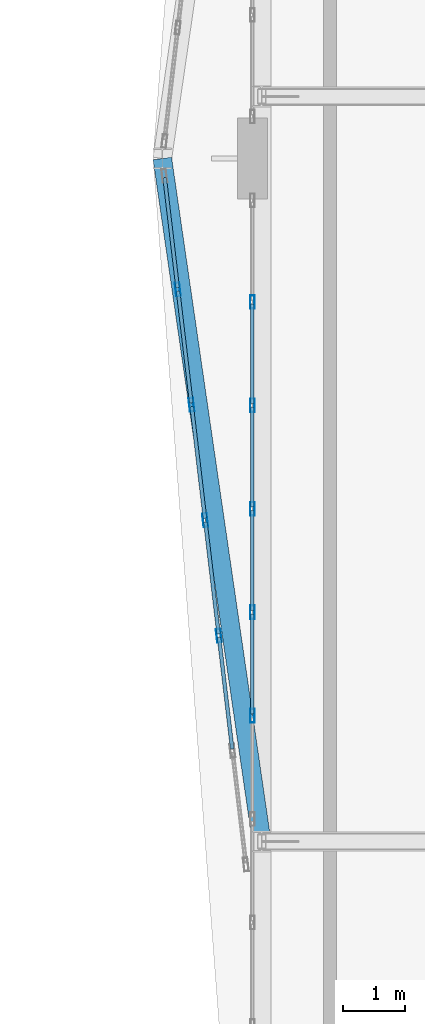
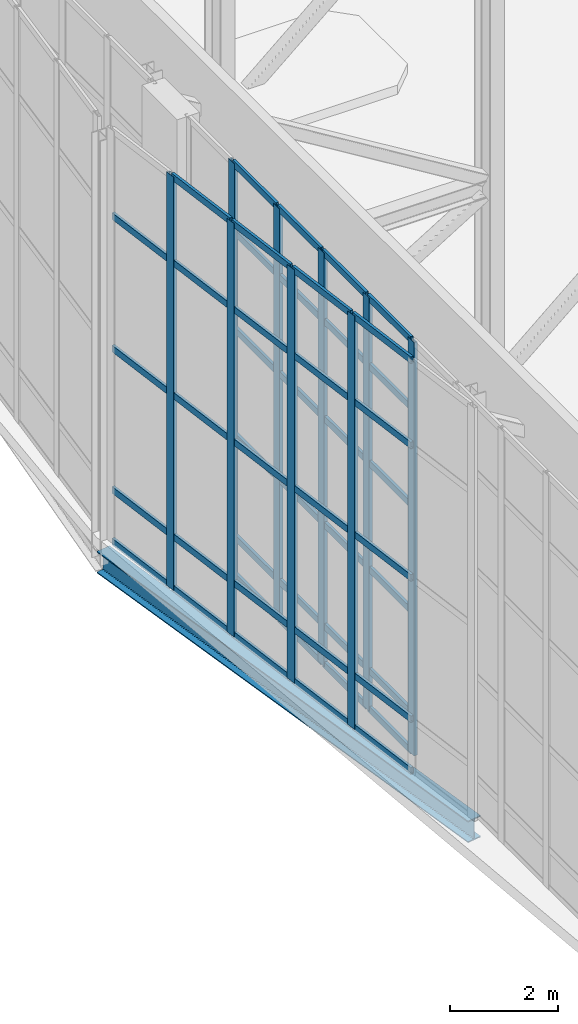
# One storey, part 21 of 100: 57 members, 1 beam, 2 elements without a shape of their own.
"""IFC4 building model written with IfcOpenShell, lengths in metres."""

from ifc_helpers import new_model, si_unit, direction, frame, origin, origin_2d, place, context, subcontext, project, spatial, hollow_rectangle, i_section, extrude, material, layer, layer_set, material_profile, profile_set, type_object, element, aggregate, save


model = new_model("IFC4")

# Units and contexts
model_context = context("Model", 3, precision=1e-05, world=origin(), true_north=direction((0.0, 1.0)))
body_context = subcontext(model_context, "Body", "Model", "MODEL_VIEW")
ifc_project = project(units=[si_unit("LENGTHUNIT", "METRE"), si_unit("AREAUNIT", "SQUARE_METRE"), si_unit("VOLUMEUNIT", "CUBIC_METRE"), si_unit("PLANEANGLEUNIT", "RADIAN"), si_unit("MASSUNIT", "GRAM", prefix="KILO")], contexts=[model_context])

# Site, building, storey
site_placement = place(None, origin())
site = spatial("IfcSite", under=ifc_project, at=site_placement, CompositionType="ELEMENT")
building_placement = place(site_placement, origin())
building = spatial("IfcBuilding", under=site, at=building_placement, Name="Tasgan Crest Museum", CompositionType="ELEMENT")
storey_placement = place(building_placement, frame((0.0, 0.0, 14.39990234375)))
storey = spatial("IfcBuildingStorey", under=building, at=storey_placement, Name="L03", CompositionType="ELEMENT", Elevation=14.39990234375)

# Beam
ifc_material_1 = material(Name="Steel S355J2", Category="steel")
ifc_material_profile_1 = material_profile(ifc_material_1, i_section(OverallWidth=0.300048828125, OverallDepth=0.489990234375, WebThickness=0.011962890625, FlangeThickness=0.02294921875, FilletRadius=0.027099609375, at=origin_2d()), Name="HEA 500")
ifc_profile_set_1 = profile_set([ifc_material_profile_1], Name="Steel S355J2")
beam_type = type_object("IfcBeamType", Name="BM-G-HEA500", PredefinedType="BEAM", material=ifc_profile_set_1)
beam_placement = place(storey_placement, frame((3.550048828125, 50.0, -0.559814453125), z_axis=(-0.143948449067, 0.98958518785, 0.0), x_axis=(-0.98958518785, -0.143948449067, 0.0)))
element("IfcBeam", 1, at=beam_placement, inside=storey, type_object=beam_type, Name="Cantilever prow south girder L03", PredefinedType="BEAM", context=body_context, shape_type="SweptSolid", body=[
    extrude(i_section(OverallWidth=0.300048828125, OverallDepth=0.489990234375, WebThickness=0.011962890625, FlangeThickness=0.02294921875, FilletRadius=0.027099609375, at=origin_2d()), origin(), (0.0, 0.0, 1.0), 11.11572265625),
])

# Curtain wall, members
ifc_material_2 = material(Name="Triple-Glazed Aluminium Curtain Wall", Category="aluminium")
ifc_layer = layer(ifc_material_2, 0.179931640625, Name="CW-CANT-TIP-96")
ifc_layer_set = layer_set([ifc_layer], Name="Triple-Glazed Aluminium Curtain Wall")
curtain_wall_type = type_object("IfcCurtainWallType", Name="CW-CANT-TIP-96", PredefinedType="NOTDEFINED", material=ifc_layer_set)
curtain_wall_1_placement = place(storey_placement, origin())
curtain_wall_1 = element("IfcCurtainWall", 2, at=curtain_wall_1_placement, inside=storey, type_object=curtain_wall_type, Name="Curtain wall L03 139", PredefinedType="NOTDEFINED")
ifc_material_3 = material(Name="Anodised Aluminium", Category="aluminium")
ifc_material_profile_2 = material_profile(ifc_material_3, hollow_rectangle(XDim=0.074951171875, YDim=0.219970703125, WallThickness=0.006103515625, at=origin_2d()), Name="ALU MULLION 220x75x6")
ifc_profile_set_2 = profile_set([ifc_material_profile_2], Name="Anodised Aluminium")
member_type_1 = type_object("IfcMemberType", Name="CW-MULLION-220", PredefinedType="MULLION", material=ifc_profile_set_2)
member_1_placement = place(storey_placement, frame((3.39990234375, 58.689208984375, 0.0), z_axis=(0.0, 0.0, 1.0), x_axis=(1.0, 0.0, 0.0)))
member_1 = element("IfcMember", 3, at=member_1_placement, type_object=member_type_1, Name="CW10 mullion 2", PredefinedType="MULLION", context=body_context, shape_type="SweptSolid", body=[
    extrude(hollow_rectangle(XDim=0.074951171875, YDim=0.219970703125, WallThickness=0.006103515625, at=origin_2d()), origin(), (0.0, 0.0, 1.0), 9.360107421875),
])
member_2_placement = place(storey_placement, frame((3.39990234375, 57.0234375, 0.0), z_axis=(0.0, 0.0, 1.0), x_axis=(1.0, 0.0, 0.0)))
member_2 = element("IfcMember", 4, at=member_2_placement, type_object=member_type_1, Name="CW10 mullion 3", PredefinedType="MULLION", context=body_context, shape_type="SweptSolid", body=[
    extrude(hollow_rectangle(XDim=0.074951171875, YDim=0.219970703125, WallThickness=0.006103515625, at=origin_2d()), origin(), (0.0, 0.0, 1.0), 9.360107421875),
])
member_3_placement = place(storey_placement, frame((3.39990234375, 55.357421875, 0.0), z_axis=(0.0, 0.0, 1.0), x_axis=(1.0, 0.0, 0.0)))
member_3 = element("IfcMember", 5, at=member_3_placement, type_object=member_type_1, Name="CW10 mullion 4", PredefinedType="MULLION", context=body_context, shape_type="SweptSolid", body=[
    extrude(hollow_rectangle(XDim=0.074951171875, YDim=0.219970703125, WallThickness=0.006103515625, at=origin_2d()), origin(), (0.0, 0.0, 1.0), 9.360107421875),
])
member_4_placement = place(storey_placement, frame((3.39990234375, 53.691650390625, 0.0), z_axis=(0.0, 0.0, 1.0), x_axis=(1.0, 0.0, 0.0)))
member_4 = element("IfcMember", 6, at=member_4_placement, type_object=member_type_1, Name="CW10 mullion 5", PredefinedType="MULLION", context=body_context, shape_type="SweptSolid", body=[
    extrude(hollow_rectangle(XDim=0.074951171875, YDim=0.219970703125, WallThickness=0.006103515625, at=origin_2d()), origin(), (0.0, 0.0, 1.0), 9.360107421875),
])
member_5_placement = place(storey_placement, frame((3.39990234375, 52.02587890625, 0.0), z_axis=(0.0, 0.0, 1.0), x_axis=(1.0, 0.0, 0.0)))
member_5 = element("IfcMember", 7, at=member_5_placement, type_object=member_type_1, Name="CW10 mullion 6", PredefinedType="MULLION", context=body_context, shape_type="SweptSolid", body=[
    extrude(hollow_rectangle(XDim=0.074951171875, YDim=0.219970703125, WallThickness=0.006103515625, at=origin_2d()), origin(), (0.0, 0.0, 1.0), 9.360107421875),
])

curtain_wall_2_placement = place(storey_placement, origin())
curtain_wall_2 = element("IfcCurtainWall", 8, at=curtain_wall_2_placement, inside=storey, type_object=curtain_wall_type, Name="Cantilevered prow curtain wall L03 PROW-S", PredefinedType="NOTDEFINED")
member_6_placement = place(storey_placement, frame((2.860107421875, 53.316650390625, 0.0), z_axis=(0.0, 0.0, 1.0), x_axis=(-0.993065228329, -0.117564672774, 0.0)))
member_6 = element("IfcMember", 9, at=member_6_placement, type_object=member_type_1, Name="CW10 mullion 3", PredefinedType="MULLION", context=body_context, shape_type="SweptSolid", body=[
    extrude(hollow_rectangle(XDim=0.074951171875, YDim=0.219970703125, WallThickness=0.006103515625, at=origin_2d()), origin(), (0.0, 0.0, 1.0), 9.360107421875),
])
member_7_placement = place(storey_placement, frame((2.639892578125, 55.175048828125, 0.0), z_axis=(0.0, 0.0, 1.0), x_axis=(-0.993065228329, -0.117564672774, 0.0)))
member_7 = element("IfcMember", 10, at=member_7_placement, type_object=member_type_1, Name="CW10 mullion 4", PredefinedType="MULLION", context=body_context, shape_type="SweptSolid", body=[
    extrude(hollow_rectangle(XDim=0.074951171875, YDim=0.219970703125, WallThickness=0.006103515625, at=origin_2d()), origin(), (0.0, 0.0, 1.0), 9.360107421875),
])
member_8_placement = place(storey_placement, frame((2.419921875, 57.033447265625, 0.0), z_axis=(0.0, 0.0, 1.0), x_axis=(-0.993065228329, -0.117564672774, 0.0)))
member_8 = element("IfcMember", 11, at=member_8_placement, type_object=member_type_1, Name="CW10 mullion 5", PredefinedType="MULLION", context=body_context, shape_type="SweptSolid", body=[
    extrude(hollow_rectangle(XDim=0.074951171875, YDim=0.219970703125, WallThickness=0.006103515625, at=origin_2d()), origin(), (0.0, 0.0, 1.0), 9.360107421875),
])
member_9_placement = place(storey_placement, frame((2.199951171875, 58.8916015625, 0.0), z_axis=(0.0, 0.0, 1.0), x_axis=(-0.993065228329, -0.117564672774, 0.0)))
member_9 = element("IfcMember", 12, at=member_9_placement, type_object=member_type_1, Name="CW10 mullion 6", PredefinedType="MULLION", context=body_context, shape_type="SweptSolid", body=[
    extrude(hollow_rectangle(XDim=0.074951171875, YDim=0.219970703125, WallThickness=0.006103515625, at=origin_2d()), origin(), (0.0, 0.0, 1.0), 9.360107421875),
])

# Member
ifc_material_4 = material(Name="Anodised Aluminium", Category="aluminium")
ifc_material_profile_3 = material_profile(ifc_material_4, hollow_rectangle(XDim=0.06005859375, YDim=0.14990234375, WallThickness=0.0048828125, at=origin_2d()), Name="ALU TRANSOM 150x60x5")
ifc_profile_set_3 = profile_set([ifc_material_profile_3], Name="Anodised Aluminium")
member_type_2 = type_object("IfcMemberType", Name="CW-TRANSOM-150", PredefinedType="USERDEFINED", material=ifc_profile_set_3)
member_10_placement = place(storey_placement, frame((3.39990234375, 58.6591796875, 0.030029296875), z_axis=(0.0, -1.0, 0.0), x_axis=(1.0, 0.0, 0.0)))
member_10 = element("IfcMember", 13, at=member_10_placement, type_object=member_type_2, Name="CW10 transom 2.1", ObjectType="TRANSOM", PredefinedType="USERDEFINED", context=body_context, shape_type="SweptSolid", body=[
    extrude(hollow_rectangle(XDim=0.06005859375, YDim=0.14990234375, WallThickness=0.0048828125, at=origin_2d()), origin(), (0.0, 0.0, 1.0), 1.60595703125),
])

member_11_placement = place(storey_placement, frame((3.39990234375, 58.6591796875, 0.900146484375), z_axis=(0.0, -1.0, 0.0), x_axis=(1.0, 0.0, 0.0)))
member_11 = element("IfcMember", 14, at=member_11_placement, type_object=member_type_2, Name="CW10 transom 2.2", ObjectType="TRANSOM", PredefinedType="USERDEFINED", context=body_context, shape_type="SweptSolid", body=[
    extrude(hollow_rectangle(XDim=0.06005859375, YDim=0.14990234375, WallThickness=0.0048828125, at=origin_2d()), origin(), (0.0, 0.0, 1.0), 1.60595703125),
])

member_12_placement = place(storey_placement, frame((3.39990234375, 58.6591796875, 3.2001953125), z_axis=(0.0, -1.0, 0.0), x_axis=(1.0, 0.0, 0.0)))
member_12 = element("IfcMember", 15, at=member_12_placement, type_object=member_type_2, Name="CW10 transom 2.3", ObjectType="TRANSOM", PredefinedType="USERDEFINED", context=body_context, shape_type="SweptSolid", body=[
    extrude(hollow_rectangle(XDim=0.06005859375, YDim=0.14990234375, WallThickness=0.0048828125, at=origin_2d()), origin(), (0.0, 0.0, 1.0), 1.60595703125),
])

member_13_placement = place(storey_placement, frame((3.39990234375, 58.6591796875, 5.60009765625), z_axis=(0.0, -1.0, 0.0), x_axis=(1.0, 0.0, 0.0)))
member_13 = element("IfcMember", 16, at=member_13_placement, type_object=member_type_2, Name="CW10 transom 2.4", ObjectType="TRANSOM", PredefinedType="USERDEFINED", context=body_context, shape_type="SweptSolid", body=[
    extrude(hollow_rectangle(XDim=0.06005859375, YDim=0.14990234375, WallThickness=0.0048828125, at=origin_2d()), origin(), (0.0, 0.0, 1.0), 1.60595703125),
])

member_14_placement = place(storey_placement, frame((3.39990234375, 58.6591796875, 7.800048828125), z_axis=(0.0, -1.0, 0.0), x_axis=(1.0, 0.0, 0.0)))
member_14 = element("IfcMember", 17, at=member_14_placement, type_object=member_type_2, Name="CW10 transom 2.5", ObjectType="TRANSOM", PredefinedType="USERDEFINED", context=body_context, shape_type="SweptSolid", body=[
    extrude(hollow_rectangle(XDim=0.06005859375, YDim=0.14990234375, WallThickness=0.0048828125, at=origin_2d()), origin(), (0.0, 0.0, 1.0), 1.60595703125),
])

member_15_placement = place(storey_placement, frame((3.39990234375, 58.6591796875, 9.330078125), z_axis=(0.0, -1.0, 0.0), x_axis=(1.0, 0.0, 0.0)))
member_15 = element("IfcMember", 18, at=member_15_placement, type_object=member_type_2, Name="CW10 transom 2.6", ObjectType="TRANSOM", PredefinedType="USERDEFINED", context=body_context, shape_type="SweptSolid", body=[
    extrude(hollow_rectangle(XDim=0.06005859375, YDim=0.14990234375, WallThickness=0.0048828125, at=origin_2d()), origin(), (0.0, 0.0, 1.0), 1.60595703125),
])

member_16_placement = place(storey_placement, frame((3.39990234375, 56.993408203125, 0.030029296875), z_axis=(0.0, -1.0, 0.0), x_axis=(1.0, 0.0, 0.0)))
member_16 = element("IfcMember", 19, at=member_16_placement, type_object=member_type_2, Name="CW10 transom 3.1", ObjectType="TRANSOM", PredefinedType="USERDEFINED", context=body_context, shape_type="SweptSolid", body=[
    extrude(hollow_rectangle(XDim=0.06005859375, YDim=0.14990234375, WallThickness=0.0048828125, at=origin_2d()), origin(), (0.0, 0.0, 1.0), 1.60595703125),
])

member_17_placement = place(storey_placement, frame((3.39990234375, 56.993408203125, 0.900146484375), z_axis=(0.0, -1.0, 0.0), x_axis=(1.0, 0.0, 0.0)))
member_17 = element("IfcMember", 20, at=member_17_placement, type_object=member_type_2, Name="CW10 transom 3.2", ObjectType="TRANSOM", PredefinedType="USERDEFINED", context=body_context, shape_type="SweptSolid", body=[
    extrude(hollow_rectangle(XDim=0.06005859375, YDim=0.14990234375, WallThickness=0.0048828125, at=origin_2d()), origin(), (0.0, 0.0, 1.0), 1.60595703125),
])

member_18_placement = place(storey_placement, frame((3.39990234375, 56.993408203125, 3.2001953125), z_axis=(0.0, -1.0, 0.0), x_axis=(1.0, 0.0, 0.0)))
member_18 = element("IfcMember", 21, at=member_18_placement, type_object=member_type_2, Name="CW10 transom 3.3", ObjectType="TRANSOM", PredefinedType="USERDEFINED", context=body_context, shape_type="SweptSolid", body=[
    extrude(hollow_rectangle(XDim=0.06005859375, YDim=0.14990234375, WallThickness=0.0048828125, at=origin_2d()), origin(), (0.0, 0.0, 1.0), 1.60595703125),
])

member_19_placement = place(storey_placement, frame((3.39990234375, 56.993408203125, 5.60009765625), z_axis=(0.0, -1.0, 0.0), x_axis=(1.0, 0.0, 0.0)))
member_19 = element("IfcMember", 22, at=member_19_placement, type_object=member_type_2, Name="CW10 transom 3.4", ObjectType="TRANSOM", PredefinedType="USERDEFINED", context=body_context, shape_type="SweptSolid", body=[
    extrude(hollow_rectangle(XDim=0.06005859375, YDim=0.14990234375, WallThickness=0.0048828125, at=origin_2d()), origin(), (0.0, 0.0, 1.0), 1.60595703125),
])

member_20_placement = place(storey_placement, frame((3.39990234375, 56.993408203125, 7.800048828125), z_axis=(0.0, -1.0, 0.0), x_axis=(1.0, 0.0, 0.0)))
member_20 = element("IfcMember", 23, at=member_20_placement, type_object=member_type_2, Name="CW10 transom 3.5", ObjectType="TRANSOM", PredefinedType="USERDEFINED", context=body_context, shape_type="SweptSolid", body=[
    extrude(hollow_rectangle(XDim=0.06005859375, YDim=0.14990234375, WallThickness=0.0048828125, at=origin_2d()), origin(), (0.0, 0.0, 1.0), 1.60595703125),
])

member_21_placement = place(storey_placement, frame((3.39990234375, 56.993408203125, 9.330078125), z_axis=(0.0, -1.0, 0.0), x_axis=(1.0, 0.0, 0.0)))
member_21 = element("IfcMember", 24, at=member_21_placement, type_object=member_type_2, Name="CW10 transom 3.6", ObjectType="TRANSOM", PredefinedType="USERDEFINED", context=body_context, shape_type="SweptSolid", body=[
    extrude(hollow_rectangle(XDim=0.06005859375, YDim=0.14990234375, WallThickness=0.0048828125, at=origin_2d()), origin(), (0.0, 0.0, 1.0), 1.60595703125),
])

member_22_placement = place(storey_placement, frame((3.39990234375, 55.327392578125, 0.030029296875), z_axis=(0.0, -1.0, 0.0), x_axis=(1.0, 0.0, 0.0)))
member_22 = element("IfcMember", 25, at=member_22_placement, type_object=member_type_2, Name="CW10 transom 4.1", ObjectType="TRANSOM", PredefinedType="USERDEFINED", context=body_context, shape_type="SweptSolid", body=[
    extrude(hollow_rectangle(XDim=0.06005859375, YDim=0.14990234375, WallThickness=0.0048828125, at=origin_2d()), origin(), (0.0, 0.0, 1.0), 1.605712890625),
])

member_23_placement = place(storey_placement, frame((3.39990234375, 55.327392578125, 0.900146484375), z_axis=(0.0, -1.0, 0.0), x_axis=(1.0, 0.0, 0.0)))
member_23 = element("IfcMember", 26, at=member_23_placement, type_object=member_type_2, Name="CW10 transom 4.2", ObjectType="TRANSOM", PredefinedType="USERDEFINED", context=body_context, shape_type="SweptSolid", body=[
    extrude(hollow_rectangle(XDim=0.06005859375, YDim=0.14990234375, WallThickness=0.0048828125, at=origin_2d()), origin(), (0.0, 0.0, 1.0), 1.605712890625),
])

member_24_placement = place(storey_placement, frame((3.39990234375, 55.327392578125, 3.2001953125), z_axis=(0.0, -1.0, 0.0), x_axis=(1.0, 0.0, 0.0)))
member_24 = element("IfcMember", 27, at=member_24_placement, type_object=member_type_2, Name="CW10 transom 4.3", ObjectType="TRANSOM", PredefinedType="USERDEFINED", context=body_context, shape_type="SweptSolid", body=[
    extrude(hollow_rectangle(XDim=0.06005859375, YDim=0.14990234375, WallThickness=0.0048828125, at=origin_2d()), origin(), (0.0, 0.0, 1.0), 1.605712890625),
])

member_25_placement = place(storey_placement, frame((3.39990234375, 55.327392578125, 5.60009765625), z_axis=(0.0, -1.0, 0.0), x_axis=(1.0, 0.0, 0.0)))
member_25 = element("IfcMember", 28, at=member_25_placement, type_object=member_type_2, Name="CW10 transom 4.4", ObjectType="TRANSOM", PredefinedType="USERDEFINED", context=body_context, shape_type="SweptSolid", body=[
    extrude(hollow_rectangle(XDim=0.06005859375, YDim=0.14990234375, WallThickness=0.0048828125, at=origin_2d()), origin(), (0.0, 0.0, 1.0), 1.605712890625),
])

member_26_placement = place(storey_placement, frame((3.39990234375, 55.327392578125, 7.800048828125), z_axis=(0.0, -1.0, 0.0), x_axis=(1.0, 0.0, 0.0)))
member_26 = element("IfcMember", 29, at=member_26_placement, type_object=member_type_2, Name="CW10 transom 4.5", ObjectType="TRANSOM", PredefinedType="USERDEFINED", context=body_context, shape_type="SweptSolid", body=[
    extrude(hollow_rectangle(XDim=0.06005859375, YDim=0.14990234375, WallThickness=0.0048828125, at=origin_2d()), origin(), (0.0, 0.0, 1.0), 1.605712890625),
])

member_27_placement = place(storey_placement, frame((3.39990234375, 55.327392578125, 9.330078125), z_axis=(0.0, -1.0, 0.0), x_axis=(1.0, 0.0, 0.0)))
member_27 = element("IfcMember", 30, at=member_27_placement, type_object=member_type_2, Name="CW10 transom 4.6", ObjectType="TRANSOM", PredefinedType="USERDEFINED", context=body_context, shape_type="SweptSolid", body=[
    extrude(hollow_rectangle(XDim=0.06005859375, YDim=0.14990234375, WallThickness=0.0048828125, at=origin_2d()), origin(), (0.0, 0.0, 1.0), 1.605712890625),
])

member_28_placement = place(storey_placement, frame((3.39990234375, 53.66162109375, 0.030029296875), z_axis=(0.0, -1.0, 0.0), x_axis=(1.0, 0.0, 0.0)))
member_28 = element("IfcMember", 31, at=member_28_placement, type_object=member_type_2, Name="CW10 transom 5.1", ObjectType="TRANSOM", PredefinedType="USERDEFINED", context=body_context, shape_type="SweptSolid", body=[
    extrude(hollow_rectangle(XDim=0.06005859375, YDim=0.14990234375, WallThickness=0.0048828125, at=origin_2d()), origin(), (0.0, 0.0, 1.0), 1.605712890625),
])

member_29_placement = place(storey_placement, frame((3.39990234375, 53.66162109375, 0.900146484375), z_axis=(0.0, -1.0, 0.0), x_axis=(1.0, 0.0, 0.0)))
member_29 = element("IfcMember", 32, at=member_29_placement, type_object=member_type_2, Name="CW10 transom 5.2", ObjectType="TRANSOM", PredefinedType="USERDEFINED", context=body_context, shape_type="SweptSolid", body=[
    extrude(hollow_rectangle(XDim=0.06005859375, YDim=0.14990234375, WallThickness=0.0048828125, at=origin_2d()), origin(), (0.0, 0.0, 1.0), 1.605712890625),
])

member_30_placement = place(storey_placement, frame((3.39990234375, 53.66162109375, 3.2001953125), z_axis=(0.0, -1.0, 0.0), x_axis=(1.0, 0.0, 0.0)))
member_30 = element("IfcMember", 33, at=member_30_placement, type_object=member_type_2, Name="CW10 transom 5.3", ObjectType="TRANSOM", PredefinedType="USERDEFINED", context=body_context, shape_type="SweptSolid", body=[
    extrude(hollow_rectangle(XDim=0.06005859375, YDim=0.14990234375, WallThickness=0.0048828125, at=origin_2d()), origin(), (0.0, 0.0, 1.0), 1.605712890625),
])

member_31_placement = place(storey_placement, frame((3.39990234375, 53.66162109375, 5.60009765625), z_axis=(0.0, -1.0, 0.0), x_axis=(1.0, 0.0, 0.0)))
member_31 = element("IfcMember", 34, at=member_31_placement, type_object=member_type_2, Name="CW10 transom 5.4", ObjectType="TRANSOM", PredefinedType="USERDEFINED", context=body_context, shape_type="SweptSolid", body=[
    extrude(hollow_rectangle(XDim=0.06005859375, YDim=0.14990234375, WallThickness=0.0048828125, at=origin_2d()), origin(), (0.0, 0.0, 1.0), 1.605712890625),
])

member_32_placement = place(storey_placement, frame((3.39990234375, 53.66162109375, 7.800048828125), z_axis=(0.0, -1.0, 0.0), x_axis=(1.0, 0.0, 0.0)))
member_32 = element("IfcMember", 35, at=member_32_placement, type_object=member_type_2, Name="CW10 transom 5.5", ObjectType="TRANSOM", PredefinedType="USERDEFINED", context=body_context, shape_type="SweptSolid", body=[
    extrude(hollow_rectangle(XDim=0.06005859375, YDim=0.14990234375, WallThickness=0.0048828125, at=origin_2d()), origin(), (0.0, 0.0, 1.0), 1.605712890625),
])

member_33_placement = place(storey_placement, frame((3.39990234375, 53.66162109375, 9.330078125), z_axis=(0.0, -1.0, 0.0), x_axis=(1.0, 0.0, 0.0)))
member_33 = element("IfcMember", 36, at=member_33_placement, type_object=member_type_2, Name="CW10 transom 5.6", ObjectType="TRANSOM", PredefinedType="USERDEFINED", context=body_context, shape_type="SweptSolid", body=[
    extrude(hollow_rectangle(XDim=0.06005859375, YDim=0.14990234375, WallThickness=0.0048828125, at=origin_2d()), origin(), (0.0, 0.0, 1.0), 1.605712890625),
])

aggregate(curtain_wall_1, [member_1, member_2, member_3, member_4, member_5, member_10, member_11, member_12, member_13, member_14, member_15, member_16, member_17, member_18, member_19, member_20, member_21, member_22, member_23, member_24, member_25, member_26, member_27, member_28, member_29, member_30, member_31, member_32, member_33])

member_34_placement = place(storey_placement, frame((3.076416015625, 51.488037109375, 0.030029296875), z_axis=(-0.117529386701, 0.993069405058, 0.0), x_axis=(-0.993069405058, -0.117529386701, 0.0)))
member_34 = element("IfcMember", 37, at=member_34_placement, type_object=member_type_2, Name="CW10 transom 2.1", ObjectType="TRANSOM", PredefinedType="USERDEFINED", context=body_context, shape_type="SweptSolid", body=[
    extrude(hollow_rectangle(XDim=0.06005859375, YDim=0.14990234375, WallThickness=0.0048828125, at=origin_2d()), origin(), (0.0, 0.0, 1.0), 1.811279296875),
])

member_35_placement = place(storey_placement, frame((3.076416015625, 51.488037109375, 1.2001953125), z_axis=(-0.117529386701, 0.993069405058, 0.0), x_axis=(-0.993069405058, -0.117529386701, 0.0)))
member_35 = element("IfcMember", 38, at=member_35_placement, type_object=member_type_2, Name="CW10 transom 2.2", ObjectType="TRANSOM", PredefinedType="USERDEFINED", context=body_context, shape_type="SweptSolid", body=[
    extrude(hollow_rectangle(XDim=0.06005859375, YDim=0.14990234375, WallThickness=0.0048828125, at=origin_2d()), origin(), (0.0, 0.0, 1.0), 1.811279296875),
])

member_36_placement = place(storey_placement, frame((3.076416015625, 51.488037109375, 4.400146484375), z_axis=(-0.117529386701, 0.993069405058, 0.0), x_axis=(-0.993069405058, -0.117529386701, 0.0)))
member_36 = element("IfcMember", 39, at=member_36_placement, type_object=member_type_2, Name="CW10 transom 2.3", ObjectType="TRANSOM", PredefinedType="USERDEFINED", context=body_context, shape_type="SweptSolid", body=[
    extrude(hollow_rectangle(XDim=0.06005859375, YDim=0.14990234375, WallThickness=0.0048828125, at=origin_2d()), origin(), (0.0, 0.0, 1.0), 1.811279296875),
])

member_37_placement = place(storey_placement, frame((3.076416015625, 51.488037109375, 7.400146484375), z_axis=(-0.117529386701, 0.993069405058, 0.0), x_axis=(-0.993069405058, -0.117529386701, 0.0)))
member_37 = element("IfcMember", 40, at=member_37_placement, type_object=member_type_2, Name="CW10 transom 2.4", ObjectType="TRANSOM", PredefinedType="USERDEFINED", context=body_context, shape_type="SweptSolid", body=[
    extrude(hollow_rectangle(XDim=0.06005859375, YDim=0.14990234375, WallThickness=0.0048828125, at=origin_2d()), origin(), (0.0, 0.0, 1.0), 1.811279296875),
])

member_38_placement = place(storey_placement, frame((3.076416015625, 51.488037109375, 9.330078125), z_axis=(-0.117529386701, 0.993069405058, 0.0), x_axis=(-0.993069405058, -0.117529386701, 0.0)))
member_38 = element("IfcMember", 41, at=member_38_placement, type_object=member_type_2, Name="CW10 transom 2.5", ObjectType="TRANSOM", PredefinedType="USERDEFINED", context=body_context, shape_type="SweptSolid", body=[
    extrude(hollow_rectangle(XDim=0.06005859375, YDim=0.14990234375, WallThickness=0.0048828125, at=origin_2d()), origin(), (0.0, 0.0, 1.0), 1.811279296875),
])

member_39_placement = place(storey_placement, frame((2.8564453125, 53.346435546875, 0.030029296875), z_axis=(-0.117529386701, 0.993069405058, 0.0), x_axis=(-0.993069405058, -0.117529386701, 0.0)))
member_39 = element("IfcMember", 42, at=member_39_placement, type_object=member_type_2, Name="CW10 transom 3.1", ObjectType="TRANSOM", PredefinedType="USERDEFINED", context=body_context, shape_type="SweptSolid", body=[
    extrude(hollow_rectangle(XDim=0.06005859375, YDim=0.14990234375, WallThickness=0.0048828125, at=origin_2d()), origin(), (0.0, 0.0, 1.0), 1.811279296875),
])

member_40_placement = place(storey_placement, frame((2.8564453125, 53.346435546875, 1.2001953125), z_axis=(-0.117529386701, 0.993069405058, 0.0), x_axis=(-0.993069405058, -0.117529386701, 0.0)))
member_40 = element("IfcMember", 43, at=member_40_placement, type_object=member_type_2, Name="CW10 transom 3.2", ObjectType="TRANSOM", PredefinedType="USERDEFINED", context=body_context, shape_type="SweptSolid", body=[
    extrude(hollow_rectangle(XDim=0.06005859375, YDim=0.14990234375, WallThickness=0.0048828125, at=origin_2d()), origin(), (0.0, 0.0, 1.0), 1.811279296875),
])

member_41_placement = place(storey_placement, frame((2.8564453125, 53.346435546875, 4.400146484375), z_axis=(-0.117529386701, 0.993069405058, 0.0), x_axis=(-0.993069405058, -0.117529386701, 0.0)))
member_41 = element("IfcMember", 44, at=member_41_placement, type_object=member_type_2, Name="CW10 transom 3.3", ObjectType="TRANSOM", PredefinedType="USERDEFINED", context=body_context, shape_type="SweptSolid", body=[
    extrude(hollow_rectangle(XDim=0.06005859375, YDim=0.14990234375, WallThickness=0.0048828125, at=origin_2d()), origin(), (0.0, 0.0, 1.0), 1.811279296875),
])

member_42_placement = place(storey_placement, frame((2.8564453125, 53.346435546875, 7.400146484375), z_axis=(-0.117529386701, 0.993069405058, 0.0), x_axis=(-0.993069405058, -0.117529386701, 0.0)))
member_42 = element("IfcMember", 45, at=member_42_placement, type_object=member_type_2, Name="CW10 transom 3.4", ObjectType="TRANSOM", PredefinedType="USERDEFINED", context=body_context, shape_type="SweptSolid", body=[
    extrude(hollow_rectangle(XDim=0.06005859375, YDim=0.14990234375, WallThickness=0.0048828125, at=origin_2d()), origin(), (0.0, 0.0, 1.0), 1.811279296875),
])

member_43_placement = place(storey_placement, frame((2.8564453125, 53.346435546875, 9.330078125), z_axis=(-0.117529386701, 0.993069405058, 0.0), x_axis=(-0.993069405058, -0.117529386701, 0.0)))
member_43 = element("IfcMember", 46, at=member_43_placement, type_object=member_type_2, Name="CW10 transom 3.5", ObjectType="TRANSOM", PredefinedType="USERDEFINED", context=body_context, shape_type="SweptSolid", body=[
    extrude(hollow_rectangle(XDim=0.06005859375, YDim=0.14990234375, WallThickness=0.0048828125, at=origin_2d()), origin(), (0.0, 0.0, 1.0), 1.811279296875),
])

member_44_placement = place(storey_placement, frame((2.636474609375, 55.204833984375, 0.030029296875), z_axis=(-0.117529386701, 0.993069405058, 0.0), x_axis=(-0.993069405058, -0.117529386701, 0.0)))
member_44 = element("IfcMember", 47, at=member_44_placement, type_object=member_type_2, Name="CW10 transom 4.1", ObjectType="TRANSOM", PredefinedType="USERDEFINED", context=body_context, shape_type="SweptSolid", body=[
    extrude(hollow_rectangle(XDim=0.06005859375, YDim=0.14990234375, WallThickness=0.0048828125, at=origin_2d()), origin(), (0.0, 0.0, 1.0), 1.811279296875),
])

member_45_placement = place(storey_placement, frame((2.636474609375, 55.204833984375, 1.2001953125), z_axis=(-0.117529386701, 0.993069405058, 0.0), x_axis=(-0.993069405058, -0.117529386701, 0.0)))
member_45 = element("IfcMember", 48, at=member_45_placement, type_object=member_type_2, Name="CW10 transom 4.2", ObjectType="TRANSOM", PredefinedType="USERDEFINED", context=body_context, shape_type="SweptSolid", body=[
    extrude(hollow_rectangle(XDim=0.06005859375, YDim=0.14990234375, WallThickness=0.0048828125, at=origin_2d()), origin(), (0.0, 0.0, 1.0), 1.811279296875),
])

member_46_placement = place(storey_placement, frame((2.636474609375, 55.204833984375, 4.400146484375), z_axis=(-0.117529386701, 0.993069405058, 0.0), x_axis=(-0.993069405058, -0.117529386701, 0.0)))
member_46 = element("IfcMember", 49, at=member_46_placement, type_object=member_type_2, Name="CW10 transom 4.3", ObjectType="TRANSOM", PredefinedType="USERDEFINED", context=body_context, shape_type="SweptSolid", body=[
    extrude(hollow_rectangle(XDim=0.06005859375, YDim=0.14990234375, WallThickness=0.0048828125, at=origin_2d()), origin(), (0.0, 0.0, 1.0), 1.811279296875),
])

member_47_placement = place(storey_placement, frame((2.636474609375, 55.204833984375, 7.400146484375), z_axis=(-0.117529386701, 0.993069405058, 0.0), x_axis=(-0.993069405058, -0.117529386701, 0.0)))
member_47 = element("IfcMember", 50, at=member_47_placement, type_object=member_type_2, Name="CW10 transom 4.4", ObjectType="TRANSOM", PredefinedType="USERDEFINED", context=body_context, shape_type="SweptSolid", body=[
    extrude(hollow_rectangle(XDim=0.06005859375, YDim=0.14990234375, WallThickness=0.0048828125, at=origin_2d()), origin(), (0.0, 0.0, 1.0), 1.811279296875),
])

member_48_placement = place(storey_placement, frame((2.636474609375, 55.204833984375, 9.330078125), z_axis=(-0.117529386701, 0.993069405058, 0.0), x_axis=(-0.993069405058, -0.117529386701, 0.0)))
member_48 = element("IfcMember", 51, at=member_48_placement, type_object=member_type_2, Name="CW10 transom 4.5", ObjectType="TRANSOM", PredefinedType="USERDEFINED", context=body_context, shape_type="SweptSolid", body=[
    extrude(hollow_rectangle(XDim=0.06005859375, YDim=0.14990234375, WallThickness=0.0048828125, at=origin_2d()), origin(), (0.0, 0.0, 1.0), 1.811279296875),
])

member_49_placement = place(storey_placement, frame((2.41650390625, 57.063232421875, 0.030029296875), z_axis=(-0.117545119782, 0.993067542927, 0.0), x_axis=(-0.993067542927, -0.117545119782, 0.0)))
member_49 = element("IfcMember", 52, at=member_49_placement, type_object=member_type_2, Name="CW10 transom 5.1", ObjectType="TRANSOM", PredefinedType="USERDEFINED", context=body_context, shape_type="SweptSolid", body=[
    extrude(hollow_rectangle(XDim=0.06005859375, YDim=0.14990234375, WallThickness=0.0048828125, at=origin_2d()), origin(), (0.0, 0.0, 1.0), 1.81103515625),
])

member_50_placement = place(storey_placement, frame((2.41650390625, 57.063232421875, 1.2001953125), z_axis=(-0.117545119782, 0.993067542927, 0.0), x_axis=(-0.993067542927, -0.117545119782, 0.0)))
member_50 = element("IfcMember", 53, at=member_50_placement, type_object=member_type_2, Name="CW10 transom 5.2", ObjectType="TRANSOM", PredefinedType="USERDEFINED", context=body_context, shape_type="SweptSolid", body=[
    extrude(hollow_rectangle(XDim=0.06005859375, YDim=0.14990234375, WallThickness=0.0048828125, at=origin_2d()), origin(), (0.0, 0.0, 1.0), 1.81103515625),
])

member_51_placement = place(storey_placement, frame((2.41650390625, 57.063232421875, 4.400146484375), z_axis=(-0.117545119782, 0.993067542927, 0.0), x_axis=(-0.993067542927, -0.117545119782, 0.0)))
member_51 = element("IfcMember", 54, at=member_51_placement, type_object=member_type_2, Name="CW10 transom 5.3", ObjectType="TRANSOM", PredefinedType="USERDEFINED", context=body_context, shape_type="SweptSolid", body=[
    extrude(hollow_rectangle(XDim=0.06005859375, YDim=0.14990234375, WallThickness=0.0048828125, at=origin_2d()), origin(), (0.0, 0.0, 1.0), 1.81103515625),
])

member_52_placement = place(storey_placement, frame((2.41650390625, 57.063232421875, 7.400146484375), z_axis=(-0.117545119782, 0.993067542927, 0.0), x_axis=(-0.993067542927, -0.117545119782, 0.0)))
member_52 = element("IfcMember", 55, at=member_52_placement, type_object=member_type_2, Name="CW10 transom 5.4", ObjectType="TRANSOM", PredefinedType="USERDEFINED", context=body_context, shape_type="SweptSolid", body=[
    extrude(hollow_rectangle(XDim=0.06005859375, YDim=0.14990234375, WallThickness=0.0048828125, at=origin_2d()), origin(), (0.0, 0.0, 1.0), 1.81103515625),
])

member_53_placement = place(storey_placement, frame((2.41650390625, 57.063232421875, 9.330078125), z_axis=(-0.117545119782, 0.993067542927, 0.0), x_axis=(-0.993067542927, -0.117545119782, 0.0)))
member_53 = element("IfcMember", 56, at=member_53_placement, type_object=member_type_2, Name="CW10 transom 5.5", ObjectType="TRANSOM", PredefinedType="USERDEFINED", context=body_context, shape_type="SweptSolid", body=[
    extrude(hollow_rectangle(XDim=0.06005859375, YDim=0.14990234375, WallThickness=0.0048828125, at=origin_2d()), origin(), (0.0, 0.0, 1.0), 1.81103515625),
])

member_54_placement = place(storey_placement, frame((2.196533203125, 58.92138671875, 0.030029296875), z_axis=(-0.117588673446, 0.993062386699, 0.0), x_axis=(-0.993062386699, -0.117588673446, 0.0)))
member_54 = element("IfcMember", 57, at=member_54_placement, type_object=member_type_2, Name="CW10 transom 6.1", ObjectType="TRANSOM", PredefinedType="USERDEFINED", context=body_context, shape_type="SweptSolid", body=[
    extrude(hollow_rectangle(XDim=0.06005859375, YDim=0.14990234375, WallThickness=0.0048828125, at=origin_2d()), origin(), (0.0, 0.0, 1.0), 1.781494140625),
])

member_55_placement = place(storey_placement, frame((2.196533203125, 58.92138671875, 1.2001953125), z_axis=(-0.117588673446, 0.993062386699, 0.0), x_axis=(-0.993062386699, -0.117588673446, 0.0)))
member_55 = element("IfcMember", 58, at=member_55_placement, type_object=member_type_2, Name="CW10 transom 6.2", ObjectType="TRANSOM", PredefinedType="USERDEFINED", context=body_context, shape_type="SweptSolid", body=[
    extrude(hollow_rectangle(XDim=0.06005859375, YDim=0.14990234375, WallThickness=0.0048828125, at=origin_2d()), origin(), (0.0, 0.0, 1.0), 1.781494140625),
])

member_56_placement = place(storey_placement, frame((2.196533203125, 58.92138671875, 4.400146484375), z_axis=(-0.117588673446, 0.993062386699, 0.0), x_axis=(-0.993062386699, -0.117588673446, 0.0)))
member_56 = element("IfcMember", 59, at=member_56_placement, type_object=member_type_2, Name="CW10 transom 6.3", ObjectType="TRANSOM", PredefinedType="USERDEFINED", context=body_context, shape_type="SweptSolid", body=[
    extrude(hollow_rectangle(XDim=0.06005859375, YDim=0.14990234375, WallThickness=0.0048828125, at=origin_2d()), origin(), (0.0, 0.0, 1.0), 1.781494140625),
])

member_57_placement = place(storey_placement, frame((2.196533203125, 58.92138671875, 7.400146484375), z_axis=(-0.117588673446, 0.993062386699, 0.0), x_axis=(-0.993062386699, -0.117588673446, 0.0)))
member_57 = element("IfcMember", 60, at=member_57_placement, type_object=member_type_2, Name="CW10 transom 6.4", ObjectType="TRANSOM", PredefinedType="USERDEFINED", context=body_context, shape_type="SweptSolid", body=[
    extrude(hollow_rectangle(XDim=0.06005859375, YDim=0.14990234375, WallThickness=0.0048828125, at=origin_2d()), origin(), (0.0, 0.0, 1.0), 1.781494140625),
])

aggregate(curtain_wall_2, [member_6, member_7, member_8, member_9, member_34, member_35, member_36, member_37, member_38, member_39, member_40, member_41, member_42, member_43, member_44, member_45, member_46, member_47, member_48, member_49, member_50, member_51, member_52, member_53, member_54, member_55, member_56, member_57])

save(model, "model.ifc")
